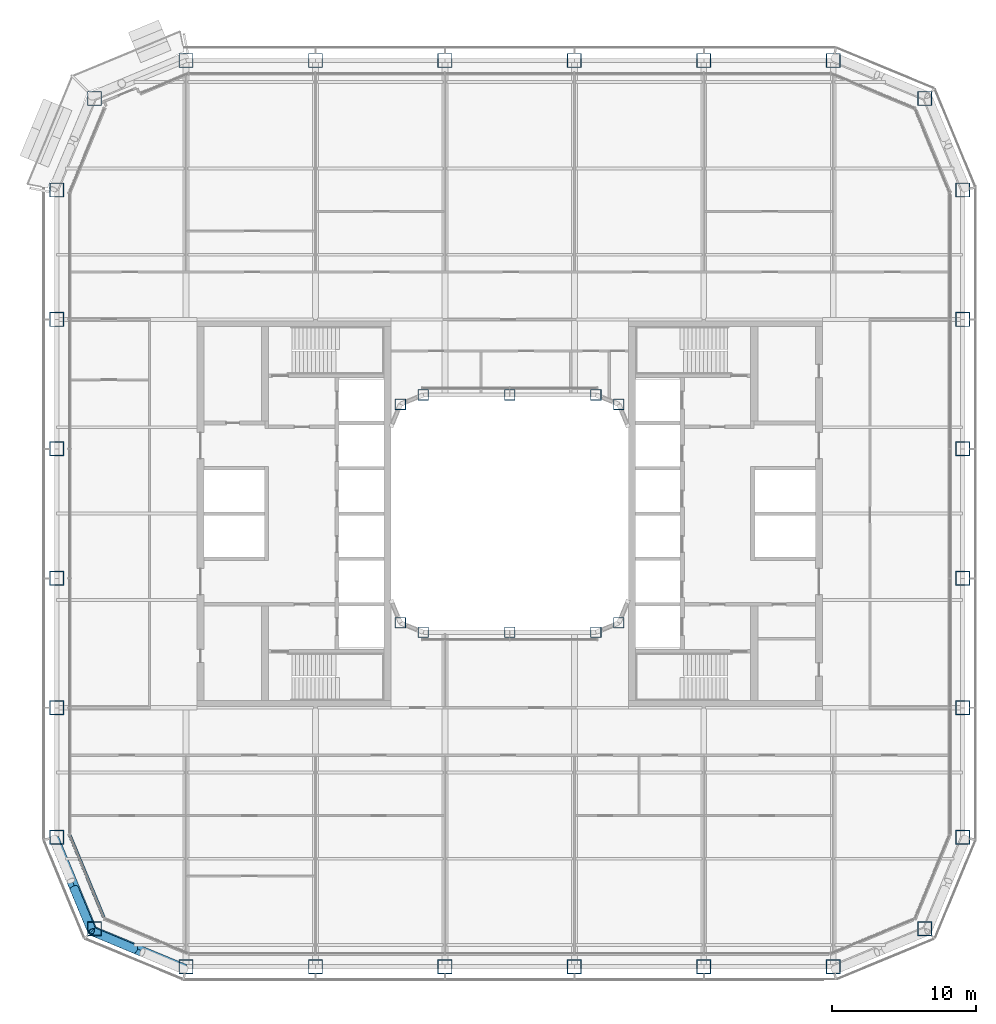
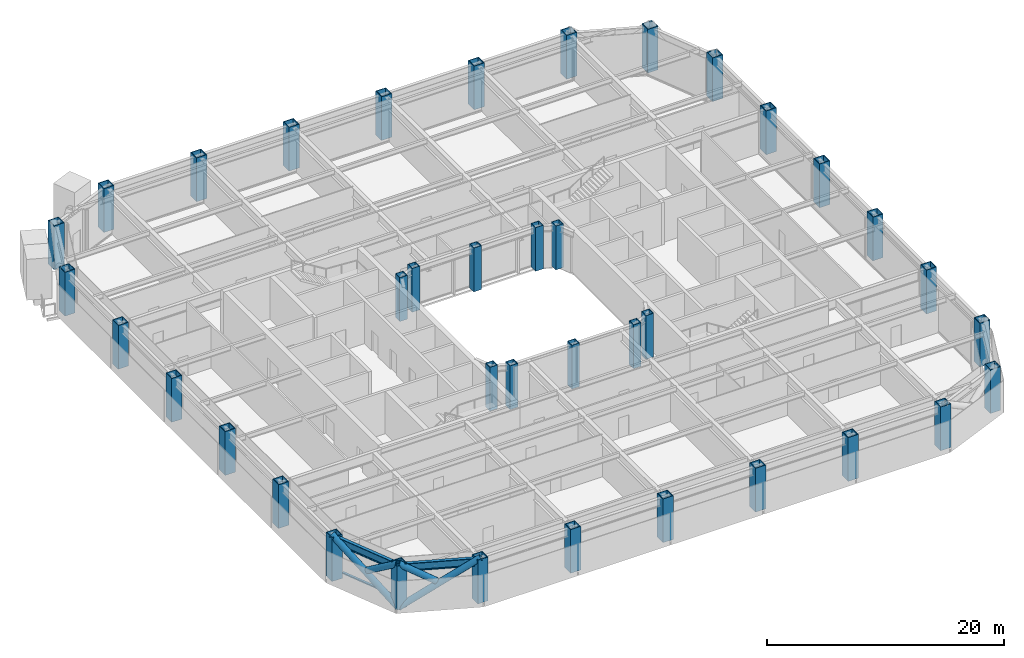
# One storey, part 1 of 28: 38 columns, 5 members, 2 beams, 1 element without a shape of its own.
"""IFC4 building model written with IfcOpenShell, lengths in metres."""

from ifc_helpers import new_model, si_unit, direction, frame, origin, origin_2d, place, context, subcontext, project, spatial, rectangle, hollow_rectangle, hollow_circle, i_section, extrude, material, layer, layer_set, material_profile, profile_set, type_object, element, aggregate, save


model = new_model("IFC4")

# Units and contexts
model_context = context("Model", 3, precision=1e-05, world=origin(), true_north=direction((0.0, 1.0)))
body_context = subcontext(model_context, "Body", "Model", "MODEL_VIEW")
ifc_project = project(units=[si_unit("LENGTHUNIT", "METRE"), si_unit("AREAUNIT", "SQUARE_METRE"), si_unit("VOLUMEUNIT", "CUBIC_METRE"), si_unit("PLANEANGLEUNIT", "RADIAN"), si_unit("MASSUNIT", "GRAM", prefix="KILO")], contexts=[model_context])

# Site, building, storey
site_placement = place(None, origin())
site = spatial("IfcSite", under=ifc_project, at=site_placement, CompositionType="ELEMENT")
building_placement = place(site_placement, origin())
building = spatial("IfcBuilding", under=site, at=building_placement, Name="Siwar Civic Tower", CompositionType="ELEMENT")
storey_placement = place(building_placement, frame((0.0, 0.0, 85.199951171875)))
storey = spatial("IfcBuildingStorey", under=building, at=storey_placement, Name="L18", CompositionType="ELEMENT", Elevation=85.199951171875)

# Columns
ifc_material_1 = material(Name="Steel S460", Category="steel")
ifc_material_profile_1 = material_profile(ifc_material_1, hollow_rectangle(XDim=1.0, YDim=1.0, WallThickness=0.06005859375, at=origin_2d()), Name="BOX1000x1000x60")
ifc_profile_set_1 = profile_set([ifc_material_profile_1], Name="Steel S460")
column_type_1 = type_object("IfcColumnType", Name="STR-COL-BOX1000x1000x60", PredefinedType="COLUMN", material=ifc_profile_set_1)
for number, where, z_axis, x_axis, name in (
    (1, (-22.5, -31.5, 0.0), (0.0, 0.0, 1.0), (1.0, 0.0, 0.0), "L18/col/S-0"),
    (2, (-13.5, -31.5, 0.0), (0.0, 0.0, 1.0), (1.0, 0.0, 0.0), "L18/col/S-1"),
    (3, (-4.5, -31.5, 0.0), (0.0, 0.0, 1.0), (1.0, 0.0, 0.0), "L18/col/S-2"),
    (4, (4.5, -31.5, 0.0), (0.0, 0.0, 1.0), (1.0, 0.0, 0.0), "L18/col/S-3"),
    (5, (13.5, -31.5, 0.0), (0.0, 0.0, 1.0), (1.0, 0.0, 0.0), "L18/col/S-4"),
    (6, (22.5, -31.5, 0.0), (0.0, 0.0, 1.0), (1.0, 0.0, 0.0), "L18/col/SE1-0"),
    (7, (28.864013671875, -28.864013671875, 0.0), (0.0, 0.0, 1.0), (1.0, 0.0, 0.0), "L18/col/SE2-0"),
    (8, (31.5, -22.5, 0.0), (0.0, 0.0, 1.0), (1.0, 0.0, 0.0), "L18/col/E-0"),
    (9, (31.5, -13.5, 0.0), (0.0, 0.0, 1.0), (1.0, 0.0, 0.0), "L18/col/E-1"),
    (10, (31.5, -4.5, 0.0), (0.0, 0.0, 1.0), (1.0, 0.0, 0.0), "L18/col/E-2"),
    (11, (31.5, 4.5, 0.0), (0.0, 0.0, 1.0), (1.0, 0.0, 0.0), "L18/col/E-3"),
    (12, (31.5, 13.5, 0.0), (0.0, 0.0, 1.0), (1.0, 0.0, 0.0), "L18/col/E-4"),
    (13, (31.5, 22.5, 0.0), (0.0, 0.0, 1.0), (1.0, 0.0, 0.0), "L18/col/NE1-0"),
    (14, (28.864013671875, 28.864013671875, 0.0), (0.0, 0.0, 1.0), (1.0, 0.0, 0.0), "L18/col/NE2-0"),
    (15, (22.5, 31.5, 0.0), (0.0, 0.0, 1.0), (1.0, 0.0, 0.0), "L18/col/N-0"),
    (16, (13.5, 31.5, 0.0), (0.0, 0.0, 1.0), (1.0, 0.0, 0.0), "L18/col/N-1"),
    (17, (4.5, 31.5, 0.0), (0.0, 0.0, 1.0), (1.0, 0.0, 0.0), "L18/col/N-2"),
    (18, (-4.5, 31.5, 0.0), (0.0, 0.0, 1.0), (1.0, 0.0, 0.0), "L18/col/N-3"),
    (19, (-13.5, 31.5, 0.0), (0.0, 0.0, 1.0), (1.0, 0.0, 0.0), "L18/col/N-4"),
    (20, (-22.5, 31.5, 0.0), (0.0, 0.0, 1.0), (1.0, 0.0, 0.0), "L18/col/NW1-0"),
    (21, (-28.864013671875, 28.864013671875, 0.0), (0.0, 0.0, 1.0), (1.0, 0.0, 0.0), "L18/col/NW2-0"),
    (22, (-31.5, 22.5, 0.0), (0.0, 0.0, 1.0), (1.0, 0.0, 0.0), "L18/col/W-0"),
    (23, (-31.5, 13.5, 0.0), (0.0, 0.0, 1.0), (1.0, 0.0, 0.0), "L18/col/W-1"),
    (24, (-31.5, 4.5, 0.0), (0.0, 0.0, 1.0), (1.0, 0.0, 0.0), "L18/col/W-2"),
    (25, (-31.5, -4.5, 0.0), (0.0, 0.0, 1.0), (1.0, 0.0, 0.0), "L18/col/W-3"),
    (26, (-31.5, -13.5, 0.0), (0.0, 0.0, 1.0), (1.0, 0.0, 0.0), "L18/col/W-4"),
    (27, (-31.5, -22.5, 0.0), (0.0, 0.0, 1.0), (1.0, 0.0, 0.0), "L18/col/SW1-0"),
    (28, (-28.864013671875, -28.864013671875, 0.0), (0.0, 0.0, 1.0), (1.0, 0.0, 0.0), "L18/col/SW2-0"),
):
    element("IfcColumn", number, at=place(storey_placement, frame(where, z_axis=z_axis, x_axis=x_axis)), inside=storey, type_object=column_type_1, Name=name, PredefinedType="COLUMN", context=body_context, shape_type="SweptSolid", body=[
        extrude(hollow_rectangle(XDim=1.0, YDim=1.0, WallThickness=0.06005859375, at=origin_2d()), origin(), (0.0, 0.0, 1.0), 4.5),
    ])
ifc_material_2 = material(Name="Steel S355", Category="steel")
ifc_material_profile_2 = material_profile(ifc_material_2, hollow_rectangle(XDim=0.75, YDim=0.75, WallThickness=0.044921875, at=origin_2d()), Name="BOX750x750x45")
ifc_profile_set_2 = profile_set([ifc_material_profile_2], Name="Steel S355")
column_type_2 = type_object("IfcColumnType", Name="STR-ICOL-BOX750x750x45", PredefinedType="COLUMN", material=ifc_profile_set_2)
for number, where, z_axis, x_axis, name in (
    (29, (-7.591064453125, -7.591064453125, 0.0), (0.0, 0.0, 1.0), (1.0, 0.0, 0.0), "L18/col/IS-0"),
    (30, (-6.0, -8.25, 0.0), (0.0, 0.0, 1.0), (1.0, 0.0, 0.0), "L18/col/IS-1"),
    (31, (0.0, -8.25, 0.0), (0.0, 0.0, 1.0), (1.0, 0.0, 0.0), "L18/col/IS-2"),
    (32, (6.0, -8.25, 0.0), (0.0, 0.0, 1.0), (1.0, 0.0, 0.0), "L18/col/IS-3"),
    (33, (7.591064453125, -7.591064453125, 0.0), (0.0, 0.0, 1.0), (1.0, 0.0, 0.0), "L18/col/IS-4"),
    (34, (-7.591064453125, 7.591064453125, 0.0), (0.0, 0.0, 1.0), (1.0, 0.0, 0.0), "L18/col/IN-0"),
    (35, (-6.0, 8.25, 0.0), (0.0, 0.0, 1.0), (1.0, 0.0, 0.0), "L18/col/IN-1"),
    (36, (0.0, 8.25, 0.0), (0.0, 0.0, 1.0), (1.0, 0.0, 0.0), "L18/col/IN-2"),
    (37, (6.0, 8.25, 0.0), (0.0, 0.0, 1.0), (1.0, 0.0, 0.0), "L18/col/IN-3"),
    (38, (7.591064453125, 7.591064453125, 0.0), (0.0, 0.0, 1.0), (1.0, 0.0, 0.0), "L18/col/IN-4"),
):
    element("IfcColumn", number, at=place(storey_placement, frame(where, z_axis=z_axis, x_axis=x_axis)), inside=storey, type_object=column_type_2, Name=name, PredefinedType="COLUMN", context=body_context, shape_type="SweptSolid", body=[
        extrude(hollow_rectangle(XDim=0.75, YDim=0.75, WallThickness=0.044921875, at=origin_2d()), origin(), (0.0, 0.0, 1.0), 4.5),
    ])

# Curtain wall, member
ifc_material_3 = material(Name="Aluminium clad insulated panel", Category="aluminium")
ifc_layer = layer(ifc_material_3, 0.219970703125)
ifc_layer_set = layer_set([ifc_layer], Name="Aluminium clad insulated panel")
curtain_wall_type = type_object("IfcCurtainWallType", Name="ENV-CW-AX", PredefinedType="NOTDEFINED", material=ifc_layer_set)
curtain_wall_placement = place(storey_placement, origin())
curtain_wall = element("IfcCurtainWall", 39, at=curtain_wall_placement, inside=storey, type_object=curtain_wall_type, Name="Curtain wall A SW1", PredefinedType="NOTDEFINED")
ifc_material_4 = material(Name="Aluminium 6063-T6", Category="aluminium")
ifc_material_profile_3 = material_profile(ifc_material_4, rectangle(XDim=0.219970703125, YDim=0.1201171875, at=origin_2d()), Name="AL 220x120")
ifc_profile_set_3 = profile_set([ifc_material_profile_3], Name="Aluminium 6063-T6")
member_type_1 = type_object("IfcMemberType", Name="ENV-TRANSOM-A", PredefinedType="USERDEFINED", material=ifc_profile_set_3)
member_1_placement = place(storey_placement, frame((-30.586669921875, -22.353271484375, 0.06005859375), z_axis=(0.382698415042, -0.923873326341, 0.0), x_axis=(0.923873326341, 0.382698415042, 0.0)))
member_1 = element("IfcMember", 40, at=member_1_placement, type_object=member_type_1, Name="Transom A SW1 1", ObjectType="TRANSOM", PredefinedType="USERDEFINED", context=body_context, shape_type="SweptSolid", body=[
    extrude(rectangle(XDim=0.219970703125, YDim=0.1201171875, at=origin_2d()), origin(), (0.0, 0.0, 1.0), 6.17919921875),
])
aggregate(curtain_wall, [member_1])

# Members
ifc_material_5 = material(Name="Steel S355", Category="steel")
ifc_material_profile_4 = material_profile(ifc_material_5, hollow_circle(Radius=0.304931640625, WallThickness=0.030029296875, at=origin_2d()), Name="CHS610x30")
ifc_profile_set_4 = profile_set([ifc_material_profile_4], Name="Steel S355")
member_type_2 = type_object("IfcMemberType", Name="STR-BR-CHS610x30", PredefinedType="BRACE", material=ifc_profile_set_4)
member_2_placement = place(storey_placement, frame((-29.040771484375, -29.040771484375, 0.0), z_axis=(0.777554562952, -0.323905527954, 0.538975055633), x_axis=(0.384538969033, 0.923108759191, 0.0)))
element("IfcMember", 41, at=member_2_placement, inside=storey, type_object=member_type_2, Name="L18/brc/ASW1-17-0-1", PredefinedType="BRACE", context=body_context, shape_type="SweptSolid", body=[
    extrude(hollow_circle(Radius=0.304931640625, WallThickness=0.030029296875, at=origin_2d()), origin(), (0.0, 0.0, 1.0), 8.34912109375),
])
member_3_placement = place(storey_placement, frame((-26.052001953125, -30.285888671875, 2.428466796875), z_axis=(-0.777568797048, 0.323934068367, 0.538937366685), x_axis=(-0.384561842466, -0.923099230484, 0.0)))
element("IfcMember", 42, at=member_3_placement, inside=storey, type_object=member_type_2, Name="L18/brc/ASW1-17-0-3", PredefinedType="BRACE", context=body_context, shape_type="SweptSolid", body=[
    extrude(hollow_circle(Radius=0.304931640625, WallThickness=0.030029296875, at=origin_2d()), origin(), (0.0, 0.0, 1.0), 3.84375),
])
member_4_placement = place(storey_placement, frame((-29.040771484375, -29.040771484375, 0.0), z_axis=(-0.323905527954, 0.777554562952, 0.538975055633), x_axis=(-0.923108759191, -0.384538969033, 0.0)))
element("IfcMember", 43, at=member_4_placement, inside=storey, type_object=member_type_2, Name="L18/brc/ASW1-17-0-0", PredefinedType="BRACE", context=body_context, shape_type="SweptSolid", body=[
    extrude(hollow_circle(Radius=0.304931640625, WallThickness=0.030029296875, at=origin_2d()), origin(), (0.0, 0.0, 1.0), 8.34912109375),
])
member_5_placement = place(storey_placement, frame((-30.285888671875, -26.052001953125, 2.428466796875), z_axis=(0.323934068367, -0.777568797048, 0.538937366685), x_axis=(0.923099230484, 0.384561842466, 0.0)))
element("IfcMember", 44, at=member_5_placement, inside=storey, type_object=member_type_2, Name="L18/brc/ASW1-17-0-5", PredefinedType="BRACE", context=body_context, shape_type="SweptSolid", body=[
    extrude(hollow_circle(Radius=0.304931640625, WallThickness=0.030029296875, at=origin_2d()), origin(), (0.0, 0.0, 1.0), 3.84375),
])

# Beams
ifc_material_6 = material(Name="Steel S355", Category="steel")
ifc_material_profile_5 = material_profile(ifc_material_6, i_section(OverallWidth=0.302978515625, OverallDepth=0.81396484375, WebThickness=0.02099609375, FlangeThickness=0.0400390625, FilletRadius=0.030029296875, at=origin_2d()), Name="HEM800")
ifc_profile_set_5 = profile_set([ifc_material_profile_5], Name="Steel S355")
beam_type = type_object("IfcBeamType", Name="STR-SB-HEM800", PredefinedType="BEAM", material=ifc_profile_set_5)
for number, where, z_axis, x_axis, name in (
    (45, (-31.5, -22.5, 3.943115234375), (0.382674207535, -0.923883353507, 0.0), (0.923883353507, 0.382674207535, 0.0), "L18/bm/SSW1-0"),
    (46, (-28.864013671875, -28.864013671875, 3.943115234375), (0.923883353507, -0.382674207535, 0.0), (0.382674207535, 0.923883353507, 0.0), "L18/bm/SSW2-0"),
):
    element("IfcBeam", number, at=place(storey_placement, frame(where, z_axis=z_axis, x_axis=x_axis)), inside=storey, type_object=beam_type, Name=name, PredefinedType="BEAM", context=body_context, shape_type="SweptSolid", body=[
        extrude(i_section(OverallWidth=0.302978515625, OverallDepth=0.81396484375, WebThickness=0.02099609375, FlangeThickness=0.0400390625, FilletRadius=0.030029296875, at=origin_2d()), origin(), (0.0, 0.0, 1.0), 6.888427734375),
    ])

save(model, "model.ifc")
